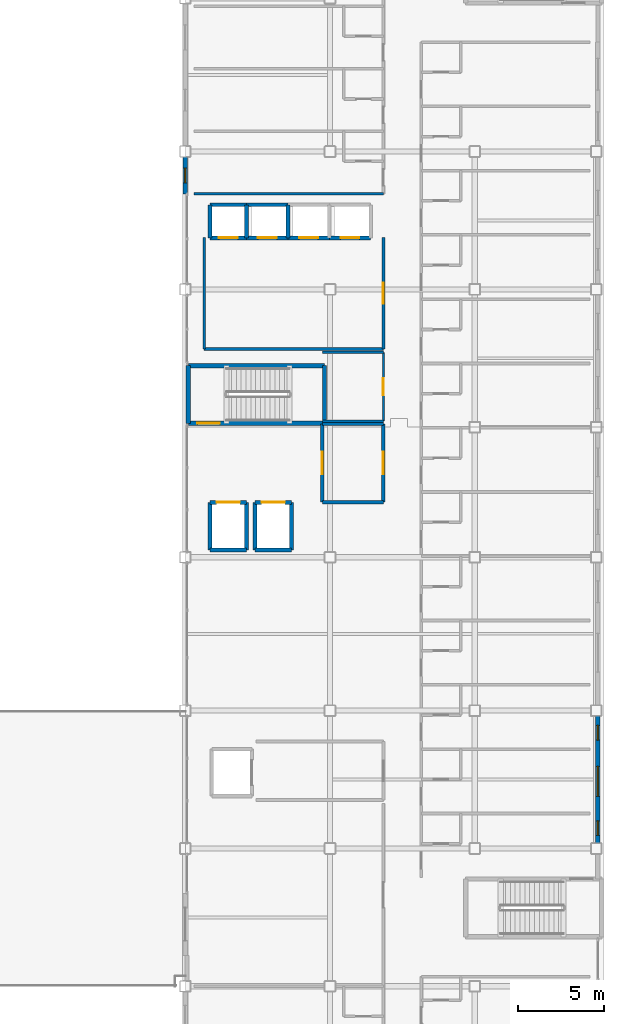
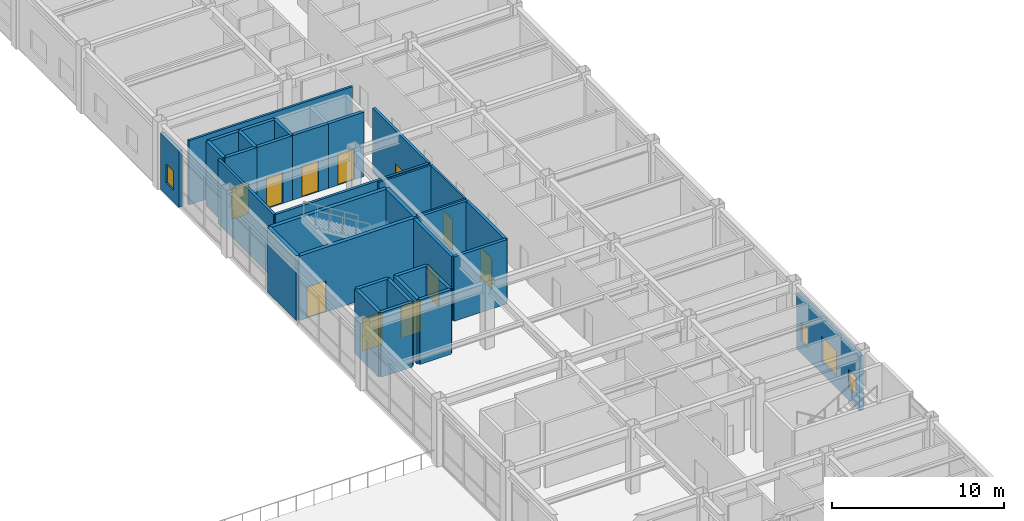
# One storey, part 51 of 61: 34 walls, 11 doors, 4 windows, 15 openings.
"""IFC4 building model written with IfcOpenShell, lengths in metres."""

from ifc_helpers import new_model, si_unit, direction, frame, frame_2d, origin, place, context, subcontext, project, spatial, rectangle, extrude, material, layer, layer_set, type_object, element, fill, save


model = new_model("IFC4")

# Units and contexts
model_context = context("Model", 3, precision=1e-05, world=origin(), true_north=direction((0.0, 1.0)))
body_context = subcontext(model_context, "Body", "Model", "MODEL_VIEW")
ifc_project = project(units=[si_unit("LENGTHUNIT", "METRE"), si_unit("AREAUNIT", "SQUARE_METRE"), si_unit("VOLUMEUNIT", "CUBIC_METRE"), si_unit("PLANEANGLEUNIT", "RADIAN"), si_unit("MASSUNIT", "GRAM", prefix="KILO")], contexts=[model_context])

# Site, building, storey
site_placement = place(None, origin())
site = spatial("IfcSite", under=ifc_project, at=site_placement, CompositionType="ELEMENT")
building_placement = place(site_placement, origin())
building = spatial("IfcBuilding", under=site, at=building_placement, Name="Kazehara Bluff Congress Hotel", CompositionType="ELEMENT")
storey_placement = place(building_placement, frame((0.0, 0.0, 19.800048828125)))
storey = spatial("IfcBuildingStorey", under=building, at=storey_placement, Name="L04", CompositionType="ELEMENT", Elevation=19.800048828125)

# Walls
ifc_material_1 = material(Name="Concrete C40/50", Category="concrete")
ifc_layer_1 = layer(ifc_material_1, 0.25)
ifc_layer_set_1 = layer_set([ifc_layer_1], Name="Concrete C40/50")
wall_type_1 = type_object("IfcWallType", Name="TP-CW-RC", PredefinedType="SHEAR", material=ifc_layer_set_1)
for number, where, z_axis, x_axis, name in (
    (1, (143.875, 48.675048828125, 0.0), (0.0, 0.0, 1.0), (0.0, 1.0, 0.0), "L04 ST-11 core wall near"),
    (2, (151.77490234375, 52.02490234375, 0.0), (0.0, 0.0, 1.0), (0.0, -1.0, 0.0), "L04 ST-11 core wall far"),
):
    element("IfcWall", number, at=place(storey_placement, frame(where, z_axis=z_axis, x_axis=x_axis)), inside=storey, type_object=wall_type_1, Name=name, PredefinedType="SHEAR", context=body_context, shape_type="SweptSolid", body=[
        extrude(rectangle(XDim=3.349853515625, YDim=0.25, at=frame_2d((1.6748046875, 0.0))), origin(), (0.0, 0.0, 1.0), 4.579833984375),
    ])

# Wall, opening, door
wall_1_placement = place(storey_placement, frame((151.77490234375, 48.675048828125, 0.0), z_axis=(0.0, 0.0, 1.0), x_axis=(-1.0, 0.0, 0.0)))
wall_1 = element("IfcWall", 3, at=wall_1_placement, inside=storey, type_object=wall_type_1, Name="L04 ST-11 core wall left", PredefinedType="SHEAR", context=body_context, shape_type="SweptSolid", body=[
    extrude(rectangle(XDim=7.89990234375, YDim=0.25, at=frame_2d((3.949951171875, 0.0))), origin(), (0.0, 0.0, 1.0), 4.579833984375),
])
opening_1_placement = place(wall_1_placement, frame((6.074951171875, 0.0, 0.0)))
opening_1 = element("IfcOpeningElement", 4, at=opening_1_placement, cuts=wall_1, Name="Opening FD-01", PredefinedType="OPENING", context=body_context, shape_type="SweptSolid", body=[
    extrude(rectangle(XDim=1.300048828125, YDim=2.199951171875, at=frame_2d((0.64990234375, 1.10009765625))), frame((0.0, 0.135009765625, 0.0), z_axis=(0.0, -1.0, 0.0), x_axis=(1.0, 0.0, 0.0)), (0.0, 0.0, 1.0), 0.27001953125),
])
ifc_material_2 = material(Name="Fire-rated painted steel leaf", Category="steel")
door_type_1 = type_object("IfcDoorType", Name="TP-FD-01", OperationType="NOTDEFINED", PredefinedType="DOOR", material=ifc_material_2)
door_1_placement = place(opening_1_placement, origin())
door_1 = element("IfcDoor", 5, at=door_1_placement, inside=storey, type_object=door_type_1, Name="L04 ST-11 fire stair door", OperationType="SINGLE_SWING_LEFT", OverallHeight=2.199951171875, OverallWidth=1.300048828125, PredefinedType="DOOR", context=body_context, shape_type="SweptSolid", body=[
    extrude(rectangle(XDim=1.300048828125, YDim=2.199951171875, at=frame_2d((0.64990234375, 1.10009765625))), frame((0.0, 0.02490234375, 0.0), z_axis=(0.0, -1.0, 0.0), x_axis=(1.0, 0.0, 0.0)), (0.0, 0.0, 1.0), 0.050048828125),
])
fill(opening_1, door_1)

# Wall
wall_2_placement = place(storey_placement, frame((143.875, 52.02490234375, 0.0), z_axis=(0.0, 0.0, 1.0), x_axis=(1.0, 0.0, 0.0)))
element("IfcWall", 6, at=wall_2_placement, inside=storey, type_object=wall_type_1, Name="L04 ST-11 core wall right", PredefinedType="SHEAR", context=body_context, shape_type="SweptSolid", body=[
    extrude(rectangle(XDim=7.89990234375, YDim=0.25, at=frame_2d((3.949951171875, 0.0))), origin(), (0.0, 0.0, 1.0), 4.579833984375),
])

# Wall, openings, windows
ifc_material_3 = material(Name="Precast concrete C40/50", Category="concrete")
ifc_layer_2 = layer(ifc_material_3, 0.260009765625)
ifc_layer_set_2 = layer_set([ifc_layer_2], Name="Precast concrete C40/50")
wall_type_2 = type_object("IfcWallType", Name="TP-EW-260", PredefinedType="SOLIDWALL", material=ifc_layer_set_2)
wall_3_placement = place(storey_placement, frame((167.64990234375, 31.675048828125, 0.0), z_axis=(0.0, 0.0, 1.0), x_axis=(0.0, -1.0, 0.0)))
wall_3 = element("IfcWall", 7, at=wall_3_placement, inside=storey, type_object=wall_type_2, Name="L04 hotel facade panel 27", PredefinedType="SOLIDWALL", context=body_context, shape_type="SweptSolid", body=[
    extrude(rectangle(XDim=7.35009765625, YDim=0.260009765625, at=frame_2d((3.675048828125, 0.0))), origin(), (0.0, 0.0, 1.0), 3.905029296875),
])
opening_2_placement = place(wall_3_placement, frame((6.070068359375, 0.0, 0.85009765625)))
opening_2 = element("IfcOpeningElement", 8, at=opening_2_placement, cuts=wall_3, Name="Opening WN-55", PredefinedType="OPENING", context=body_context, shape_type="SweptSolid", body=[
    extrude(rectangle(XDim=0.85009765625, YDim=1.35009765625, at=frame_2d((0.425048828125, 0.675048828125))), frame((0.0, 0.139892578125, 0.0), z_axis=(0.0, -1.0, 0.0), x_axis=(1.0, 0.0, 0.0)), (0.0, 0.0, 1.0), 0.280029296875),
])
opening_3_placement = place(wall_3_placement, frame((2.905029296875, 0.0, 0.85009765625)))
opening_3 = element("IfcOpeningElement", 9, at=opening_3_placement, cuts=wall_3, Name="Opening WN-34", PredefinedType="OPENING", context=body_context, shape_type="SweptSolid", body=[
    extrude(rectangle(XDim=1.75, YDim=1.800048828125, at=frame_2d((0.875, 0.89990234375))), frame((0.0, 0.139892578125, 0.0), z_axis=(0.0, -1.0, 0.0), x_axis=(1.0, 0.0, 0.0)), (0.0, 0.0, 1.0), 0.280029296875),
])
opening_4_placement = place(wall_3_placement, frame((0.530029296875, 0.0, 0.85009765625)))
opening_4 = element("IfcOpeningElement", 10, at=opening_4_placement, cuts=wall_3, Name="Opening WN-55", PredefinedType="OPENING", context=body_context, shape_type="SweptSolid", body=[
    extrude(rectangle(XDim=0.85009765625, YDim=1.35009765625, at=frame_2d((0.425048828125, 0.675048828125))), frame((0.0, 0.139892578125, 0.0), z_axis=(0.0, -1.0, 0.0), x_axis=(1.0, 0.0, 0.0)), (0.0, 0.0, 1.0), 0.280029296875),
])
ifc_material_4 = material(Name="Insulated low-E double glazing", Category="glass")
window_type_1 = type_object("IfcWindowType", Name="TP-WN-34", PartitioningType="SINGLE_PANEL", PredefinedType="WINDOW", material=ifc_material_4)
window_1_placement = place(opening_3_placement, origin())
window_1 = element("IfcWindow", 11, at=window_1_placement, inside=storey, type_object=window_type_1, Name="L04 guestroom window WN-34 37", OverallHeight=1.800048828125, OverallWidth=1.75, PartitioningType="SINGLE_PANEL", PredefinedType="WINDOW", context=body_context, shape_type="SweptSolid", body=[
    extrude(rectangle(XDim=1.75, YDim=1.800048828125, at=frame_2d((0.875, 0.89990234375))), frame((0.0, 0.030029296875, 0.0), z_axis=(0.0, -1.0, 0.0), x_axis=(1.0, 0.0, 0.0)), (0.0, 0.0, 1.0), 0.06005859375),
])
fill(opening_3, window_1)
ifc_material_5 = material(Name="Insulated low-E double glazing", Category="glass")
window_type_2 = type_object("IfcWindowType", Name="TP-WN-55", PartitioningType="SINGLE_PANEL", PredefinedType="WINDOW", material=ifc_material_5)
window_2_placement = place(opening_2_placement, origin())
window_2 = element("IfcWindow", 12, at=window_2_placement, inside=storey, type_object=window_type_2, Name="L04 guestroom window WN-55 36", OverallHeight=1.35009765625, OverallWidth=0.85009765625, PartitioningType="SINGLE_PANEL", PredefinedType="WINDOW", context=body_context, shape_type="SweptSolid", body=[
    extrude(rectangle(XDim=0.85009765625, YDim=1.35009765625, at=frame_2d((0.425048828125, 0.675048828125))), frame((0.0, 0.030029296875, 0.0), z_axis=(0.0, -1.0, 0.0), x_axis=(1.0, 0.0, 0.0)), (0.0, 0.0, 1.0), 0.06005859375),
])
fill(opening_2, window_2)
window_3_placement = place(opening_4_placement, origin())
window_3 = element("IfcWindow", 13, at=window_3_placement, inside=storey, type_object=window_type_2, Name="L04 guestroom window WN-55 38", OverallHeight=1.35009765625, OverallWidth=0.85009765625, PartitioningType="SINGLE_PANEL", PredefinedType="WINDOW", context=body_context, shape_type="SweptSolid", body=[
    extrude(rectangle(XDim=0.85009765625, YDim=1.35009765625, at=frame_2d((0.425048828125, 0.675048828125))), frame((0.0, 0.030029296875, 0.0), z_axis=(0.0, -1.0, 0.0), x_axis=(1.0, 0.0, 0.0)), (0.0, 0.0, 1.0), 0.06005859375),
])
fill(opening_4, window_3)

# Wall, opening, window
wall_4_placement = place(storey_placement, frame((143.699951171875, 62.0, 0.0), z_axis=(0.0, 0.0, 1.0), x_axis=(0.0, 1.0, 0.0)))
wall_4 = element("IfcWall", 14, at=wall_4_placement, inside=storey, type_object=wall_type_2, Name="L04 hotel facade panel 35", PredefinedType="SOLIDWALL", context=body_context, shape_type="SweptSolid", body=[
    extrude(rectangle(XDim=2.125, YDim=0.260009765625, at=frame_2d((1.0625, 0.0))), origin(), (0.0, 0.0, 1.0), 4.0048828125),
])
opening_5_placement = place(wall_4_placement, frame((0.635009765625, 0.0, 0.85009765625)))
opening_5 = element("IfcOpeningElement", 15, at=opening_5_placement, cuts=wall_4, Name="Opening WN-55", PredefinedType="OPENING", context=body_context, shape_type="SweptSolid", body=[
    extrude(rectangle(XDim=0.85009765625, YDim=1.35009765625, at=frame_2d((0.425048828125, 0.675048828125))), frame((0.0, 0.139892578125, 0.0), z_axis=(0.0, -1.0, 0.0), x_axis=(1.0, 0.0, 0.0)), (0.0, 0.0, 1.0), 0.280029296875),
])
window_4_placement = place(opening_5_placement, origin())
window_4 = element("IfcWindow", 16, at=window_4_placement, inside=storey, type_object=window_type_2, Name="L04 guestroom window WN-55 53", OverallHeight=1.35009765625, OverallWidth=0.85009765625, PartitioningType="SINGLE_PANEL", PredefinedType="WINDOW", context=body_context, shape_type="SweptSolid", body=[
    extrude(rectangle(XDim=0.85009765625, YDim=1.35009765625, at=frame_2d((0.425048828125, 0.675048828125))), frame((0.0, 0.030029296875, 0.0), z_axis=(0.0, -1.0, 0.0), x_axis=(1.0, 0.0, 0.0)), (0.0, 0.0, 1.0), 0.06005859375),
])
fill(opening_5, window_4)

# Walls
ifc_material_6 = material(Name="Concrete C40/50", Category="concrete")
ifc_layer_3 = layer(ifc_material_6, 0.199951171875)
ifc_layer_set_3 = layer_set([ifc_layer_3], Name="Concrete C40/50")
wall_type_3 = type_object("IfcWallType", Name="TP-FW-RC", PredefinedType="SOLIDWALL", material=ifc_layer_set_3)
for number, where, z_axis, x_axis, name in (
    (17, (151.64990234375, 44.10009765625, 0.0), (0.0, 0.0, 1.0), (1.0, 0.0, 0.0), "L04 partition FW-RC 404"),
    (18, (151.64990234375, 48.64990234375, 0.0), (0.0, 0.0, 1.0), (1.0, 0.0, 0.0), "L04 partition FW-RC 409"),
):
    element("IfcWall", number, at=place(storey_placement, frame(where, z_axis=z_axis, x_axis=x_axis)), inside=storey, type_object=wall_type_3, Name=name, PredefinedType="SOLIDWALL", context=body_context, shape_type="SweptSolid", body=[
        extrude(rectangle(XDim=3.550048828125, YDim=0.199951171875, at=frame_2d((1.77490234375, 0.0))), origin(), (0.0, 0.0, 1.0), 4.56494140625),
    ])

# Wall, opening, door
wall_5_placement = place(storey_placement, frame((151.64990234375, 44.10009765625, 0.0), z_axis=(0.0, 0.0, 1.0), x_axis=(0.0, 1.0, 0.0)))
wall_5 = element("IfcWall", 19, at=wall_5_placement, inside=storey, type_object=wall_type_3, Name="L04 partition FW-RC 460", PredefinedType="SOLIDWALL", context=body_context, shape_type="SweptSolid", body=[
    extrude(rectangle(XDim=4.5498046875, YDim=0.199951171875, at=frame_2d((2.27490234375, 0.0))), origin(), (0.0, 0.0, 1.0), 4.56494140625),
])
opening_6_placement = place(wall_5_placement, frame((1.625, 0.0, 0.0)))
opening_6 = element("IfcOpeningElement", 20, at=opening_6_placement, cuts=wall_5, Name="Opening FD-01", PredefinedType="OPENING", context=body_context, shape_type="SweptSolid", body=[
    extrude(rectangle(XDim=1.300048828125, YDim=2.199951171875, at=frame_2d((0.64990234375, 1.10009765625))), frame((0.0, 0.10986328125, 0.0), z_axis=(0.0, -1.0, 0.0), x_axis=(1.0, 0.0, 0.0)), (0.0, 0.0, 1.0), 0.219970703125),
])
door_2_placement = place(opening_6_placement, origin())
door_2 = element("IfcDoor", 21, at=door_2_placement, inside=storey, type_object=door_type_1, Name="L04 Emergency Firefighting Lobby door", OperationType="SINGLE_SWING_LEFT", OverallHeight=2.199951171875, OverallWidth=1.300048828125, PredefinedType="DOOR", context=body_context, shape_type="SweptSolid", body=[
    extrude(rectangle(XDim=1.300048828125, YDim=2.199951171875, at=frame_2d((0.64990234375, 1.10009765625))), frame((0.0, 0.02490234375, 0.0), z_axis=(0.0, -1.0, 0.0), x_axis=(1.0, 0.0, 0.0)), (0.0, 0.0, 1.0), 0.050048828125),
])
fill(opening_6, door_2)

wall_6_placement = place(storey_placement, frame((155.199951171875, 44.10009765625, 0.0), z_axis=(0.0, 0.0, 1.0), x_axis=(0.0, 1.0, 0.0)))
wall_6 = element("IfcWall", 22, at=wall_6_placement, inside=storey, type_object=wall_type_3, Name="L04 partition FW-RC 481", PredefinedType="SOLIDWALL", context=body_context, shape_type="SweptSolid", body=[
    extrude(rectangle(XDim=4.5498046875, YDim=0.199951171875, at=frame_2d((2.27490234375, 0.0))), origin(), (0.0, 0.0, 1.0), 4.56494140625),
])
opening_7_placement = place(wall_6_placement, frame((1.625, 0.0, 0.0)))
opening_7 = element("IfcOpeningElement", 23, at=opening_7_placement, cuts=wall_6, Name="Opening FD-01", PredefinedType="OPENING", context=body_context, shape_type="SweptSolid", body=[
    extrude(rectangle(XDim=1.300048828125, YDim=2.199951171875, at=frame_2d((0.64990234375, 1.10009765625))), frame((0.0, 0.10986328125, 0.0), z_axis=(0.0, -1.0, 0.0), x_axis=(1.0, 0.0, 0.0)), (0.0, 0.0, 1.0), 0.219970703125),
])
door_3_placement = place(opening_7_placement, origin())
door_3 = element("IfcDoor", 24, at=door_3_placement, inside=storey, type_object=door_type_1, Name="L04 Smoke Vestibule Lobby door", OperationType="SINGLE_SWING_RIGHT", OverallHeight=2.199951171875, OverallWidth=1.300048828125, PredefinedType="DOOR", context=body_context, shape_type="SweptSolid", body=[
    extrude(rectangle(XDim=1.300048828125, YDim=2.199951171875, at=frame_2d((0.64990234375, 1.10009765625))), frame((0.0, 0.02490234375, 0.0), z_axis=(0.0, -1.0, 0.0), x_axis=(1.0, 0.0, 0.0)), (0.0, 0.0, 1.0), 0.050048828125),
])
fill(opening_7, door_3)

# Walls
ifc_material_7 = material(Name="Fire-rated gypsum board stud partition")
ifc_layer_4 = layer(ifc_material_7, 0.1298828125)
ifc_layer_set_4 = layer_set([ifc_layer_4], Name="Fire-rated gypsum board stud partition")
wall_type_4 = type_object("IfcWallType", Name="TP-PT-130", PredefinedType="PARTITIONING", material=ifc_layer_set_4)
for number, where, z_axis, x_axis, name in (
    (25, (151.64990234375, 48.800048828125, 0.0), (0.0, 0.0, 1.0), (1.0, 0.0, 0.0), "L04 partition PT-130 410"),
    (26, (151.64990234375, 52.800048828125, 0.0), (0.0, 0.0, 1.0), (1.0, 0.0, 0.0), "L04 partition PT-130 413"),
):
    element("IfcWall", number, at=place(storey_placement, frame(where, z_axis=z_axis, x_axis=x_axis)), inside=storey, type_object=wall_type_4, Name=name, PredefinedType="PARTITIONING", context=body_context, shape_type="SweptSolid", body=[
        extrude(rectangle(XDim=3.550048828125, YDim=0.1298828125, at=frame_2d((1.77490234375, 0.0))), origin(), (0.0, 0.0, 1.0), 4.56494140625),
    ])

# Wall, opening, door
wall_7_placement = place(storey_placement, frame((155.199951171875, 48.800048828125, 0.0), z_axis=(0.0, 0.0, 1.0), x_axis=(0.0, 1.0, 0.0)))
wall_7 = element("IfcWall", 27, at=wall_7_placement, inside=storey, type_object=wall_type_4, Name="L04 partition PT-130 482", PredefinedType="PARTITIONING", context=body_context, shape_type="SweptSolid", body=[
    extrude(rectangle(XDim=4.0, YDim=0.1298828125, at=frame_2d((2.0, 0.0))), origin(), (0.0, 0.0, 1.0), 4.56494140625),
])
opening_8_placement = place(wall_7_placement, frame((1.5, 0.0, 0.0)))
opening_8 = element("IfcOpeningElement", 28, at=opening_8_placement, cuts=wall_7, Name="Opening ID-03", PredefinedType="OPENING", context=body_context, shape_type="SweptSolid", body=[
    extrude(rectangle(XDim=1.0, YDim=2.179931640625, at=frame_2d((0.5, 1.08984375))), frame((0.0, 0.074951171875, 0.0), z_axis=(0.0, -1.0, 0.0), x_axis=(1.0, 0.0, 0.0)), (0.0, 0.0, 1.0), 0.14990234375),
])
ifc_material_8 = material(Name="Architectural oak veneer leaf")
door_type_2 = type_object("IfcDoorType", Name="TP-ID-03", OperationType="NOTDEFINED", PredefinedType="DOOR", material=ifc_material_8)
door_4_placement = place(opening_8_placement, origin())
door_4 = element("IfcDoor", 29, at=door_4_placement, inside=storey, type_object=door_type_2, Name="L04 L04 Housekeeping and Linen Room door", OperationType="SINGLE_SWING_LEFT", OverallHeight=2.179931640625, OverallWidth=1.0, PredefinedType="DOOR", context=body_context, shape_type="SweptSolid", body=[
    extrude(rectangle(XDim=1.0, YDim=2.179931640625, at=frame_2d((0.5, 1.08984375))), frame((0.0, 0.02490234375, 0.0), z_axis=(0.0, -1.0, 0.0), x_axis=(1.0, 0.0, 0.0)), (0.0, 0.0, 1.0), 0.050048828125),
])
fill(opening_8, door_4)

# Walls
ifc_material_9 = material(Name="Fire-rated gypsum board stud partition")
ifc_layer_5 = layer(ifc_material_9, 0.14990234375)
ifc_layer_set_5 = layer_set([ifc_layer_5], Name="Fire-rated gypsum board stud partition")
wall_type_5 = type_object("IfcWallType", Name="TP-PT-150", PredefinedType="PARTITIONING", material=ifc_layer_set_5)
wall_8_placement = place(storey_placement, frame((144.199951171875, 62.0, 0.0), z_axis=(0.0, 0.0, 1.0), x_axis=(1.0, 0.0, 0.0)))
element("IfcWall", 30, at=wall_8_placement, inside=storey, type_object=wall_type_5, Name="L04 partition PT-150 421", PredefinedType="PARTITIONING", context=body_context, shape_type="SweptSolid", body=[
    extrude(rectangle(XDim=11.0, YDim=0.14990234375, at=frame_2d((5.5, 0.0))), origin(), (0.0, 0.0, 1.0), 4.56494140625),
])
ifc_material_10 = material(Name="Fire-rated gypsum board stud partition")
ifc_layer_6 = layer(ifc_material_10, 0.169921875)
ifc_layer_set_6 = layer_set([ifc_layer_6], Name="Fire-rated gypsum board stud partition")
wall_type_6 = type_object("IfcWallType", Name="TP-PT-180", PredefinedType="PARTITIONING", material=ifc_layer_set_6)
wall_9_placement = place(storey_placement, frame((144.800048828125, 53.0, 0.0), z_axis=(0.0, 0.0, 1.0), x_axis=(1.0, 0.0, 0.0)))
element("IfcWall", 31, at=wall_9_placement, inside=storey, type_object=wall_type_6, Name="L04 partition PT-180 414", PredefinedType="PARTITIONING", context=body_context, shape_type="SweptSolid", body=[
    extrude(rectangle(XDim=10.39990234375, YDim=0.169921875, at=frame_2d((5.199951171875, 0.0))), origin(), (0.0, 0.0, 1.0), 4.56494140625),
])
wall_10_placement = place(storey_placement, frame((144.800048828125, 53.0, 0.0), z_axis=(0.0, 0.0, 1.0), x_axis=(0.0, 1.0, 0.0)))
element("IfcWall", 32, at=wall_10_placement, inside=storey, type_object=wall_type_6, Name="L04 partition PT-180 459", PredefinedType="PARTITIONING", context=body_context, shape_type="SweptSolid", body=[
    extrude(rectangle(XDim=6.449951171875, YDim=0.169921875, at=frame_2d((3.22509765625, 0.0))), origin(), (0.0, 0.0, 1.0), 4.56494140625),
])

# Wall, opening, door
wall_11_placement = place(storey_placement, frame((155.199951171875, 53.0, 0.0), z_axis=(0.0, 0.0, 1.0), x_axis=(0.0, 1.0, 0.0)))
wall_11 = element("IfcWall", 33, at=wall_11_placement, inside=storey, type_object=wall_type_6, Name="L04 partition PT-180 483", PredefinedType="PARTITIONING", context=body_context, shape_type="SweptSolid", body=[
    extrude(rectangle(XDim=6.449951171875, YDim=0.169921875, at=frame_2d((3.22509765625, 0.0))), origin(), (0.0, 0.0, 1.0), 4.56494140625),
])
opening_9_placement = place(wall_11_placement, frame((2.625, 0.0, 0.0)))
opening_9 = element("IfcOpeningElement", 34, at=opening_9_placement, cuts=wall_11, Name="Opening FD-02", PredefinedType="OPENING", context=body_context, shape_type="SweptSolid", body=[
    extrude(rectangle(XDim=1.199951171875, YDim=2.199951171875, at=frame_2d((0.60009765625, 1.10009765625))), frame((0.0, 0.094970703125, 0.0), z_axis=(0.0, -1.0, 0.0), x_axis=(1.0, 0.0, 0.0)), (0.0, 0.0, 1.0), 0.18994140625),
])
ifc_material_11 = material(Name="Fire-rated painted steel leaf", Category="steel")
door_type_3 = type_object("IfcDoorType", Name="TP-FD-02", OperationType="NOTDEFINED", PredefinedType="DOOR", material=ifc_material_11)
door_5_placement = place(opening_9_placement, origin())
door_5 = element("IfcDoor", 35, at=door_5_placement, inside=storey, type_object=door_type_3, Name="L04 Hotel Passenger Lift Lobby door", OperationType="SINGLE_SWING_LEFT", OverallHeight=2.199951171875, OverallWidth=1.199951171875, PredefinedType="DOOR", context=body_context, shape_type="SweptSolid", body=[
    extrude(rectangle(XDim=1.199951171875, YDim=2.199951171875, at=frame_2d((0.60009765625, 1.10009765625))), frame((0.0, 0.02490234375, 0.0), z_axis=(0.0, -1.0, 0.0), x_axis=(1.0, 0.0, 0.0)), (0.0, 0.0, 1.0), 0.050048828125),
])
fill(opening_9, door_5)

ifc_material_12 = material(Name="Concrete C40/50", Category="concrete")
ifc_layer_7 = layer(ifc_material_12, 0.219970703125)
ifc_layer_set_7 = layer_set([ifc_layer_7], Name="Concrete C40/50")
wall_type_7 = type_object("IfcWallType", Name="TP-SW-RC", PredefinedType="SHEAR", material=ifc_layer_set_7)
wall_12_placement = place(storey_placement, frame((145.139892578125, 44.0849609375, 0.0), z_axis=(0.0, 0.0, 1.0), x_axis=(1.0, 0.0, 0.0)))
wall_12 = element("IfcWall", 36, at=wall_12_placement, inside=storey, type_object=wall_type_7, Name="L04 EL-E1 lift shaft wall +Y", PredefinedType="SHEAR", context=body_context, shape_type="SweptSolid", body=[
    extrude(rectangle(XDim=2.1201171875, YDim=0.219970703125, at=frame_2d((1.06005859375, 0.0))), origin(), (0.0, 0.0, 1.0), 4.579833984375),
])
opening_10_placement = place(wall_12_placement, frame((0.385009765625, 0.0, 0.0)))
opening_10 = element("IfcOpeningElement", 37, at=opening_10_placement, cuts=wall_12, Name="Opening LD-03", PredefinedType="OPENING", context=body_context, shape_type="SweptSolid", body=[
    extrude(rectangle(XDim=1.35009765625, YDim=2.300048828125, at=frame_2d((0.675048828125, 1.14990234375))), frame((0.0, 0.119873046875, 0.0), z_axis=(0.0, -1.0, 0.0), x_axis=(1.0, 0.0, 0.0)), (0.0, 0.0, 1.0), 0.239990234375),
])
ifc_material_13 = material(Name="Fire-rated painted steel leaf", Category="steel")
door_type_4 = type_object("IfcDoorType", Name="TP-LD-03", OperationType="SLIDING_TO_LEFT", PredefinedType="DOOR", material=ifc_material_13)
door_6_placement = place(opening_10_placement, origin())
door_6 = element("IfcDoor", 38, at=door_6_placement, inside=storey, type_object=door_type_4, Name="L04 EL-E1 elevator landing door", OperationType="SLIDING_TO_LEFT", OverallHeight=2.300048828125, OverallWidth=1.35009765625, PredefinedType="DOOR", context=body_context, shape_type="SweptSolid", body=[
    extrude(rectangle(XDim=1.35009765625, YDim=2.300048828125, at=frame_2d((0.675048828125, 1.14990234375))), frame((0.0, 0.02490234375, 0.0), z_axis=(0.0, -1.0, 0.0), x_axis=(1.0, 0.0, 0.0)), (0.0, 0.0, 1.0), 0.050048828125),
])
fill(opening_10, door_6)

# Walls
wall_13_placement = place(storey_placement, frame((145.139892578125, 41.31494140625, 0.0), z_axis=(0.0, 0.0, 1.0), x_axis=(1.0, 0.0, 0.0)))
element("IfcWall", 39, at=wall_13_placement, inside=storey, type_object=wall_type_7, Name="L04 EL-E1 lift shaft wall -Y", PredefinedType="SHEAR", context=body_context, shape_type="SweptSolid", body=[
    extrude(rectangle(XDim=2.1201171875, YDim=0.219970703125, at=frame_2d((1.06005859375, 0.0))), origin(), (0.0, 0.0, 1.0), 4.579833984375),
])
for number, where, z_axis, x_axis, name in (
    (40, (147.260009765625, 41.31494140625, 0.0), (0.0, 0.0, 1.0), (0.0, 1.0, 0.0), "L04 EL-E1 lift shaft wall +X"),
    (41, (145.139892578125, 41.31494140625, 0.0), (0.0, 0.0, 1.0), (0.0, 1.0, 0.0), "L04 EL-E1 lift shaft wall -X"),
):
    element("IfcWall", number, at=place(storey_placement, frame(where, z_axis=z_axis, x_axis=x_axis)), inside=storey, type_object=wall_type_7, Name=name, PredefinedType="SHEAR", context=body_context, shape_type="SweptSolid", body=[
        extrude(rectangle(XDim=2.77001953125, YDim=0.219970703125, at=frame_2d((1.385009765625, 0.0))), origin(), (0.0, 0.0, 1.0), 4.579833984375),
    ])

# Wall, opening, door
wall_14_placement = place(storey_placement, frame((147.739990234375, 44.0849609375, 0.0), z_axis=(0.0, 0.0, 1.0), x_axis=(1.0, 0.0, 0.0)))
wall_14 = element("IfcWall", 42, at=wall_14_placement, inside=storey, type_object=wall_type_7, Name="L04 EL-E2 lift shaft wall +Y", PredefinedType="SHEAR", context=body_context, shape_type="SweptSolid", body=[
    extrude(rectangle(XDim=2.1201171875, YDim=0.219970703125, at=frame_2d((1.06005859375, 0.0))), origin(), (0.0, 0.0, 1.0), 4.579833984375),
])
opening_11_placement = place(wall_14_placement, frame((0.385009765625, 0.0, 0.0)))
opening_11 = element("IfcOpeningElement", 43, at=opening_11_placement, cuts=wall_14, Name="Opening LD-03", PredefinedType="OPENING", context=body_context, shape_type="SweptSolid", body=[
    extrude(rectangle(XDim=1.35009765625, YDim=2.300048828125, at=frame_2d((0.675048828125, 1.14990234375))), frame((0.0, 0.119873046875, 0.0), z_axis=(0.0, -1.0, 0.0), x_axis=(1.0, 0.0, 0.0)), (0.0, 0.0, 1.0), 0.239990234375),
])
door_7_placement = place(opening_11_placement, origin())
door_7 = element("IfcDoor", 44, at=door_7_placement, inside=storey, type_object=door_type_4, Name="L04 EL-E2 elevator landing door", OperationType="SLIDING_TO_LEFT", OverallHeight=2.300048828125, OverallWidth=1.35009765625, PredefinedType="DOOR", context=body_context, shape_type="SweptSolid", body=[
    extrude(rectangle(XDim=1.35009765625, YDim=2.300048828125, at=frame_2d((0.675048828125, 1.14990234375))), frame((0.0, 0.02490234375, 0.0), z_axis=(0.0, -1.0, 0.0), x_axis=(1.0, 0.0, 0.0)), (0.0, 0.0, 1.0), 0.050048828125),
])
fill(opening_11, door_7)

# Walls
wall_15_placement = place(storey_placement, frame((147.739990234375, 41.31494140625, 0.0), z_axis=(0.0, 0.0, 1.0), x_axis=(1.0, 0.0, 0.0)))
element("IfcWall", 45, at=wall_15_placement, inside=storey, type_object=wall_type_7, Name="L04 EL-E2 lift shaft wall -Y", PredefinedType="SHEAR", context=body_context, shape_type="SweptSolid", body=[
    extrude(rectangle(XDim=2.1201171875, YDim=0.219970703125, at=frame_2d((1.06005859375, 0.0))), origin(), (0.0, 0.0, 1.0), 4.579833984375),
])
for number, where, z_axis, x_axis, name in (
    (46, (149.860107421875, 41.31494140625, 0.0), (0.0, 0.0, 1.0), (0.0, 1.0, 0.0), "L04 EL-E2 lift shaft wall +X"),
    (47, (147.739990234375, 41.31494140625, 0.0), (0.0, 0.0, 1.0), (0.0, 1.0, 0.0), "L04 EL-E2 lift shaft wall -X"),
):
    element("IfcWall", number, at=place(storey_placement, frame(where, z_axis=z_axis, x_axis=x_axis)), inside=storey, type_object=wall_type_7, Name=name, PredefinedType="SHEAR", context=body_context, shape_type="SweptSolid", body=[
        extrude(rectangle(XDim=2.77001953125, YDim=0.219970703125, at=frame_2d((1.385009765625, 0.0))), origin(), (0.0, 0.0, 1.0), 4.579833984375),
    ])
wall_16_placement = place(storey_placement, frame((145.139892578125, 61.360107421875, 0.0), z_axis=(0.0, 0.0, 1.0), x_axis=(1.0, 0.0, 0.0)))
element("IfcWall", 48, at=wall_16_placement, inside=storey, type_object=wall_type_7, Name="L04 EL-P1 lift shaft wall +Y", PredefinedType="SHEAR", context=body_context, shape_type="SweptSolid", body=[
    extrude(rectangle(XDim=2.1201171875, YDim=0.219970703125, at=frame_2d((1.06005859375, 0.0))), origin(), (0.0, 0.0, 1.0), 4.579833984375),
])

# Wall, opening, door
wall_17_placement = place(storey_placement, frame((145.139892578125, 59.43994140625, 0.0), z_axis=(0.0, 0.0, 1.0), x_axis=(1.0, 0.0, 0.0)))
wall_17 = element("IfcWall", 49, at=wall_17_placement, inside=storey, type_object=wall_type_7, Name="L04 EL-P1 lift shaft wall -Y", PredefinedType="SHEAR", context=body_context, shape_type="SweptSolid", body=[
    extrude(rectangle(XDim=2.1201171875, YDim=0.219970703125, at=frame_2d((1.06005859375, 0.0))), origin(), (0.0, 0.0, 1.0), 4.579833984375),
])
opening_12_placement = place(wall_17_placement, frame((0.510009765625, 0.0, 0.0)))
opening_12 = element("IfcOpeningElement", 50, at=opening_12_placement, cuts=wall_17, Name="Opening LD-01", PredefinedType="OPENING", context=body_context, shape_type="SweptSolid", body=[
    extrude(rectangle(XDim=1.10009765625, YDim=2.199951171875, at=frame_2d((0.550048828125, 1.10009765625))), frame((0.0, 0.119873046875, 0.0), z_axis=(0.0, -1.0, 0.0), x_axis=(1.0, 0.0, 0.0)), (0.0, 0.0, 1.0), 0.239990234375),
])
ifc_material_14 = material(Name="Fire-rated painted steel leaf", Category="steel")
door_type_5 = type_object("IfcDoorType", Name="TP-LD-01", OperationType="SLIDING_TO_LEFT", PredefinedType="DOOR", material=ifc_material_14)
door_8_placement = place(opening_12_placement, origin())
door_8 = element("IfcDoor", 51, at=door_8_placement, inside=storey, type_object=door_type_5, Name="L04 EL-P1 elevator landing door", OperationType="SLIDING_TO_LEFT", OverallHeight=2.199951171875, OverallWidth=1.10009765625, PredefinedType="DOOR", context=body_context, shape_type="SweptSolid", body=[
    extrude(rectangle(XDim=1.10009765625, YDim=2.199951171875, at=frame_2d((0.550048828125, 1.10009765625))), frame((0.0, 0.02490234375, 0.0), z_axis=(0.0, -1.0, 0.0), x_axis=(1.0, 0.0, 0.0)), (0.0, 0.0, 1.0), 0.050048828125),
])
fill(opening_12, door_8)

# Walls
for number, where, z_axis, x_axis, name in (
    (52, (147.260009765625, 59.43994140625, 0.0), (0.0, 0.0, 1.0), (0.0, 1.0, 0.0), "L04 EL-P1 lift shaft wall +X"),
    (53, (145.139892578125, 59.43994140625, 0.0), (0.0, 0.0, 1.0), (0.0, 1.0, 0.0), "L04 EL-P1 lift shaft wall -X"),
):
    element("IfcWall", number, at=place(storey_placement, frame(where, z_axis=z_axis, x_axis=x_axis)), inside=storey, type_object=wall_type_7, Name=name, PredefinedType="SHEAR", context=body_context, shape_type="SweptSolid", body=[
        extrude(rectangle(XDim=1.920166015625, YDim=0.219970703125, at=frame_2d((0.9599609375, 0.0))), origin(), (0.0, 0.0, 1.0), 4.579833984375),
    ])
wall_18_placement = place(storey_placement, frame((147.260009765625, 61.360107421875, 0.0), z_axis=(0.0, 0.0, 1.0), x_axis=(1.0, 0.0, 0.0)))
element("IfcWall", 54, at=wall_18_placement, inside=storey, type_object=wall_type_7, Name="L04 EL-P2 lift shaft wall +Y", PredefinedType="SHEAR", context=body_context, shape_type="SweptSolid", body=[
    extrude(rectangle(XDim=2.39990234375, YDim=0.219970703125, at=frame_2d((1.199951171875, 0.0))), origin(), (0.0, 0.0, 1.0), 4.579833984375),
])

# Wall, opening, door
wall_19_placement = place(storey_placement, frame((147.260009765625, 59.43994140625, 0.0), z_axis=(0.0, 0.0, 1.0), x_axis=(1.0, 0.0, 0.0)))
wall_19 = element("IfcWall", 55, at=wall_19_placement, inside=storey, type_object=wall_type_7, Name="L04 EL-P2 lift shaft wall -Y", PredefinedType="SHEAR", context=body_context, shape_type="SweptSolid", body=[
    extrude(rectangle(XDim=2.39990234375, YDim=0.219970703125, at=frame_2d((1.199951171875, 0.0))), origin(), (0.0, 0.0, 1.0), 4.579833984375),
])
opening_13_placement = place(wall_19_placement, frame((0.64990234375, 0.0, 0.0)))
opening_13 = element("IfcOpeningElement", 56, at=opening_13_placement, cuts=wall_19, Name="Opening LD-01", PredefinedType="OPENING", context=body_context, shape_type="SweptSolid", body=[
    extrude(rectangle(XDim=1.10009765625, YDim=2.199951171875, at=frame_2d((0.550048828125, 1.10009765625))), frame((0.0, 0.119873046875, 0.0), z_axis=(0.0, -1.0, 0.0), x_axis=(1.0, 0.0, 0.0)), (0.0, 0.0, 1.0), 0.239990234375),
])
door_9_placement = place(opening_13_placement, origin())
door_9 = element("IfcDoor", 57, at=door_9_placement, inside=storey, type_object=door_type_5, Name="L04 EL-P2 elevator landing door", OperationType="SLIDING_TO_LEFT", OverallHeight=2.199951171875, OverallWidth=1.10009765625, PredefinedType="DOOR", context=body_context, shape_type="SweptSolid", body=[
    extrude(rectangle(XDim=1.10009765625, YDim=2.199951171875, at=frame_2d((0.550048828125, 1.10009765625))), frame((0.0, 0.02490234375, 0.0), z_axis=(0.0, -1.0, 0.0), x_axis=(1.0, 0.0, 0.0)), (0.0, 0.0, 1.0), 0.050048828125),
])
fill(opening_13, door_9)

# Wall
wall_20_placement = place(storey_placement, frame((149.659912109375, 59.43994140625, 0.0), z_axis=(0.0, 0.0, 1.0), x_axis=(0.0, 1.0, 0.0)))
element("IfcWall", 58, at=wall_20_placement, inside=storey, type_object=wall_type_7, Name="L04 EL-P2 lift shaft wall +X", PredefinedType="SHEAR", context=body_context, shape_type="SweptSolid", body=[
    extrude(rectangle(XDim=1.920166015625, YDim=0.219970703125, at=frame_2d((0.9599609375, 0.0))), origin(), (0.0, 0.0, 1.0), 4.579833984375),
])

# Wall, opening, door
wall_21_placement = place(storey_placement, frame((149.659912109375, 59.43994140625, 0.0), z_axis=(0.0, 0.0, 1.0), x_axis=(1.0, 0.0, 0.0)))
wall_21 = element("IfcWall", 59, at=wall_21_placement, inside=storey, type_object=wall_type_7, Name="L04 EL-P3 lift shaft wall -Y", PredefinedType="SHEAR", context=body_context, shape_type="SweptSolid", body=[
    extrude(rectangle(XDim=2.400146484375, YDim=0.219970703125, at=frame_2d((1.2001953125, 0.0))), origin(), (0.0, 0.0, 1.0), 4.579833984375),
])
opening_14_placement = place(wall_21_placement, frame((0.64990234375, 0.0, 0.0)))
opening_14 = element("IfcOpeningElement", 60, at=opening_14_placement, cuts=wall_21, Name="Opening LD-01", PredefinedType="OPENING", context=body_context, shape_type="SweptSolid", body=[
    extrude(rectangle(XDim=1.10009765625, YDim=2.199951171875, at=frame_2d((0.550048828125, 1.10009765625))), frame((0.0, 0.119873046875, 0.0), z_axis=(0.0, -1.0, 0.0), x_axis=(1.0, 0.0, 0.0)), (0.0, 0.0, 1.0), 0.239990234375),
])
door_10_placement = place(opening_14_placement, origin())
door_10 = element("IfcDoor", 61, at=door_10_placement, inside=storey, type_object=door_type_5, Name="L04 EL-P3 elevator landing door", OperationType="SLIDING_TO_LEFT", OverallHeight=2.199951171875, OverallWidth=1.10009765625, PredefinedType="DOOR", context=body_context, shape_type="SweptSolid", body=[
    extrude(rectangle(XDim=1.10009765625, YDim=2.199951171875, at=frame_2d((0.550048828125, 1.10009765625))), frame((0.0, 0.02490234375, 0.0), z_axis=(0.0, -1.0, 0.0), x_axis=(1.0, 0.0, 0.0)), (0.0, 0.0, 1.0), 0.050048828125),
])
fill(opening_14, door_10)

wall_22_placement = place(storey_placement, frame((152.06005859375, 59.43994140625, 0.0), z_axis=(0.0, 0.0, 1.0), x_axis=(1.0, 0.0, 0.0)))
wall_22 = element("IfcWall", 62, at=wall_22_placement, inside=storey, type_object=wall_type_7, Name="L04 EL-P4 lift shaft wall -Y", PredefinedType="SHEAR", context=body_context, shape_type="SweptSolid", body=[
    extrude(rectangle(XDim=2.39990234375, YDim=0.219970703125, at=frame_2d((1.199951171875, 0.0))), origin(), (0.0, 0.0, 1.0), 4.579833984375),
])
opening_15_placement = place(wall_22_placement, frame((0.64990234375, 0.0, 0.0)))
opening_15 = element("IfcOpeningElement", 63, at=opening_15_placement, cuts=wall_22, Name="Opening LD-01", PredefinedType="OPENING", context=body_context, shape_type="SweptSolid", body=[
    extrude(rectangle(XDim=1.10009765625, YDim=2.199951171875, at=frame_2d((0.550048828125, 1.10009765625))), frame((0.0, 0.119873046875, 0.0), z_axis=(0.0, -1.0, 0.0), x_axis=(1.0, 0.0, 0.0)), (0.0, 0.0, 1.0), 0.239990234375),
])
door_11_placement = place(opening_15_placement, origin())
door_11 = element("IfcDoor", 64, at=door_11_placement, inside=storey, type_object=door_type_5, Name="L04 EL-P4 elevator landing door", OperationType="SLIDING_TO_LEFT", OverallHeight=2.199951171875, OverallWidth=1.10009765625, PredefinedType="DOOR", context=body_context, shape_type="SweptSolid", body=[
    extrude(rectangle(XDim=1.10009765625, YDim=2.199951171875, at=frame_2d((0.550048828125, 1.10009765625))), frame((0.0, 0.02490234375, 0.0), z_axis=(0.0, -1.0, 0.0), x_axis=(1.0, 0.0, 0.0)), (0.0, 0.0, 1.0), 0.050048828125),
])
fill(opening_15, door_11)

save(model, "model.ifc")
